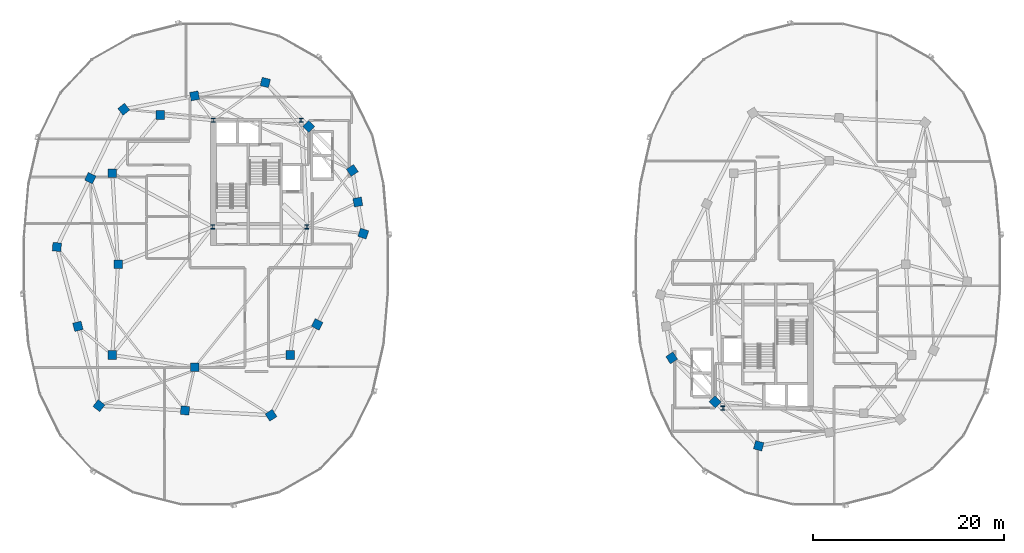
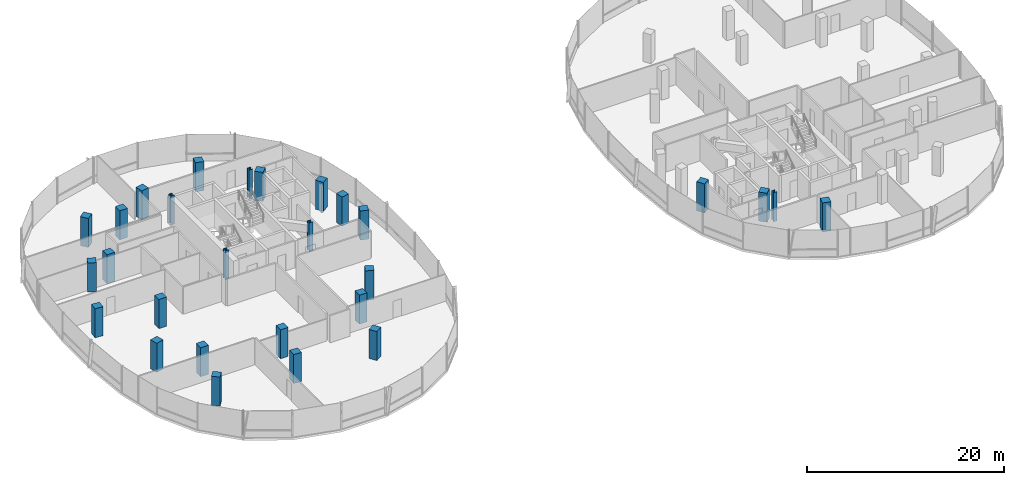
# One storey, part 1 of 25: 28 columns.
"""IFC4 building model written with IfcOpenShell, lengths in metres."""

from ifc_helpers import new_model, si_unit, direction, frame, origin, origin_2d, place, context, subcontext, project, spatial, rectangle, i_section, extrude, material, material_profile, profile_set, type_object, element, save


model = new_model("IFC4")

# Units and contexts
model_context = context("Model", 3, precision=1e-05, world=origin(), true_north=direction((0.0, 1.0)))
body_context = subcontext(model_context, "Body", "Model", "MODEL_VIEW")
ifc_project = project(units=[si_unit("LENGTHUNIT", "METRE"), si_unit("AREAUNIT", "SQUARE_METRE"), si_unit("VOLUMEUNIT", "CUBIC_METRE"), si_unit("PLANEANGLEUNIT", "RADIAN"), si_unit("MASSUNIT", "GRAM", prefix="KILO"), si_unit("THERMODYNAMICTEMPERATUREUNIT", "KELVIN"), si_unit("POWERUNIT", "WATT")], contexts=[model_context])

# Site, building, storey
site_placement = place(None, origin())
site = spatial("IfcSite", under=ifc_project, at=site_placement, CompositionType="ELEMENT")
building_placement = place(site_placement, origin())
building = spatial("IfcBuilding", under=site, at=building_placement, Name="Cundina Bronze Exchange", CompositionType="ELEMENT")
storey_placement = place(building_placement, frame((0.0, 0.0, 213.39990234375)))
storey = spatial("IfcBuildingStorey", under=building, at=storey_placement, Name="L56", CompositionType="ELEMENT", Elevation=213.39990234375)

# Columns
ifc_material_1 = material(Name="Steel ASTM A992 Grade 50", Category="steel")
ifc_material_profile_1 = material_profile(ifc_material_1, i_section(OverallWidth=0.416015625, OverallDepth=0.446044921875, WebThickness=0.0390625, FlangeThickness=0.062744140625, FilletRadius=0.01806640625, at=origin_2d()), Name="W14X342", Category="steel")
ifc_profile_set_1 = profile_set([ifc_material_profile_1], Name="Steel ASTM A992 Grade 50")
column_type_1 = type_object("IfcColumnType", Name="COL-STL-W14B", PredefinedType="COLUMN", material=ifc_profile_set_1)
for number, where, z_axis, x_axis, name in (
    (1, (-31.300048828125, 3.89990234375, 0.0), (0.0, 0.0, 1.0), (1.0, 0.0, 0.0), "L56 Core Anchor Column W1"),
    (2, (-21.449951171875, 3.89990234375, 0.0), (0.0, 0.0, 1.0), (1.0, 0.0, 0.0), "L56 Core Anchor Column W2"),
    (3, (-22.050048828125, 15.050048828125, 0.0), (0.0, 0.0, 1.0), (1.0, 0.0, 0.0), "L56 Core Anchor Column W3"),
    (4, (-31.25, 15.050048828125, 0.0), (0.0, 0.0, 1.0), (1.0, 0.0, 0.0), "L56 Core Anchor Column W4"),
    (5, (22.050048828125, -15.050048828125, 0.0), (0.0, 0.0, 1.0), (1.0, 0.0, 0.0), "L56 Core Anchor Column E3"),
):
    element("IfcColumn", number, at=place(storey_placement, frame(where, z_axis=z_axis, x_axis=x_axis)), inside=storey, type_object=column_type_1, Name=name, PredefinedType="COLUMN", context=body_context, shape_type="SweptSolid", body=[
        extrude(i_section(OverallWidth=0.416015625, OverallDepth=0.446044921875, WebThickness=0.0390625, FlangeThickness=0.062744140625, FilletRadius=0.01806640625, at=origin_2d()), origin(), (0.0, 0.0, 1.0), 3.60009765625),
    ])
ifc_material_2 = material(Name="Concrete C50/60", Category="concrete")
ifc_material_profile_2 = material_profile(ifc_material_2, rectangle(XDim=0.89990234375, YDim=0.89990234375, at=origin_2d()), Name="RC900X900", Category="concrete")
ifc_profile_set_2 = profile_set([ifc_material_profile_2], Name="Concrete C50/60")
column_type_2 = type_object("IfcColumnType", Name="COL-Z4-900", PredefinedType="COLUMN", material=ifc_profile_set_2)
for number, where, z_axis, x_axis, name in (
    (6, (-41.199951171875, 0.0, 0.0), (0.0, 0.0, 1.0), (1.0, 0.0, 0.0), "L56 W Inner Ring Column 1"),
    (7, (-41.800048828125, 9.5, 0.0), (0.0, 0.0, 1.0), (1.0, 0.0, 0.0), "L56 W Inner Ring Column 2"),
    (8, (-36.800048828125, 15.60009765625, 0.0), (0.0, 0.0, 1.0), (1.0, 0.0, 0.0), "L56 W Inner Ring Column 3"),
    (9, (-41.800048828125, -9.5, 0.0), (0.0, 0.0, 1.0), (1.0, 0.0, 0.0), "L56 W Inner Ring Column 4"),
    (10, (-33.199951171875, -10.800048828125, 0.0), (0.0, 0.0, 1.0), (1.0, 0.0, 0.0), "L56 W Inner Ring Column 5"),
    (11, (-23.199951171875, -9.5, 0.0), (0.0, 0.0, 1.0), (1.0, 0.0, 0.0), "L56 W Inner Ring Column 6"),
    (12, (-15.550048828125, 3.199951171875, 0.0), (0.0, 0.0, 1.0), (0.315152163383, 0.949041155016, 0.0), "L56 W Perimeter Column 00"),
    (13, (-16.125, 6.5, 0.0), (0.0, 0.0, 1.0), (-0.171585221787, 0.985169280715, 0.0), "L56 W Perimeter Column 01"),
    (14, (-16.699951171875, 9.800048828125, 0.0), (0.0, 0.0, 1.0), (-0.544199833495, 0.838955625301, 0.0), "L56 W Perimeter Column 02"),
    (15, (-21.25, 14.39990234375, 0.0), (0.0, 0.0, 1.0), (-0.703270634186, 0.710922228581, 0.0), "L56 W Perimeter Column 03"),
    (16, (-25.800048828125, 19.0, 0.0), (0.0, 0.0, 1.0), (-0.965970984022, 0.258650455301, 0.0), "L56 W Perimeter Column 04"),
    (17, (-33.199951171875, 17.60009765625, 0.0), (0.0, 0.0, 1.0), (-0.98258037664, -0.185838110843, 0.0), "L56 W Perimeter Column 05"),
    (18, (-40.60009765625, 16.199951171875, 0.0), (0.0, 0.0, 1.0), (-0.785100778485, -0.619368038909, 0.0), "L56 W Perimeter Column 06"),
    (19, (-44.10009765625, 9.0, 0.0), (0.0, 0.0, 1.0), (-0.437115766651, -0.899405251566, 0.0), "L56 W Perimeter Column 07"),
    (20, (-47.60009765625, 1.800048828125, 0.0), (0.0, 0.0, 1.0), (-0.083503921245, -0.996507448611, 0.0), "L56 W Perimeter Column 08"),
    (21, (-45.39990234375, -6.5, 0.0), (0.0, 0.0, 1.0), (0.256289373133, -0.966600102017, 0.0), "L56 W Perimeter Column 09"),
    (22, (-43.199951171875, -14.800048828125, 0.0), (0.0, 0.0, 1.0), (0.786288432137, -0.61785961309, 0.0), "L56 W Perimeter Column 10"),
    (23, (-34.199951171875, -15.300048828125, 0.0), (0.0, 0.0, 1.0), (0.998460188734, -0.055472980025, 0.0), "L56 W Perimeter Column 11"),
    (24, (-25.199951171875, -15.800048828125, 0.0), (0.0, 0.0, 1.0), (0.838099763533, 0.545516989988, 0.0), "L56 W Perimeter Column 12"),
    (25, (-20.375, -6.300048828125, 0.0), (0.0, 0.0, 1.0), (0.452901591366, 0.891560513111, 0.0), "L56 W Perimeter Column 13"),
    (26, (16.699951171875, -9.800048828125, 0.0), (0.0, 0.0, 1.0), (0.544199833495, -0.838955625301, 0.0), "L56 E Perimeter Column 02"),
    (27, (21.25, -14.39990234375, 0.0), (0.0, 0.0, 1.0), (0.703270634186, -0.710922228581, 0.0), "L56 E Perimeter Column 03"),
    (28, (25.800048828125, -19.0, 0.0), (0.0, 0.0, 1.0), (0.965970984022, -0.258650455301, 0.0), "L56 E Perimeter Column 04"),
):
    element("IfcColumn", number, at=place(storey_placement, frame(where, z_axis=z_axis, x_axis=x_axis)), inside=storey, type_object=column_type_2, Name=name, PredefinedType="COLUMN", context=body_context, shape_type="SweptSolid", body=[
        extrude(rectangle(XDim=0.89990234375, YDim=0.89990234375, at=origin_2d()), origin(), (0.0, 0.0, 1.0), 3.60009765625),
    ])

save(model, "model.ifc")
